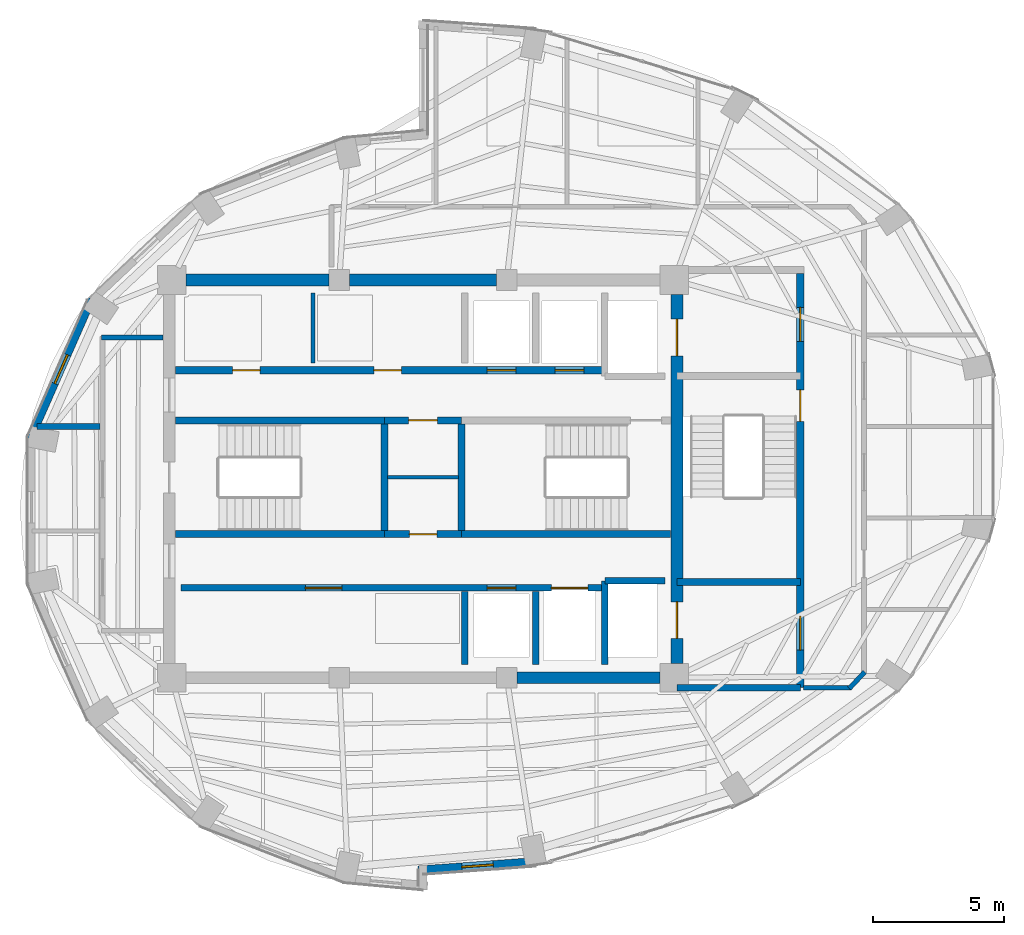
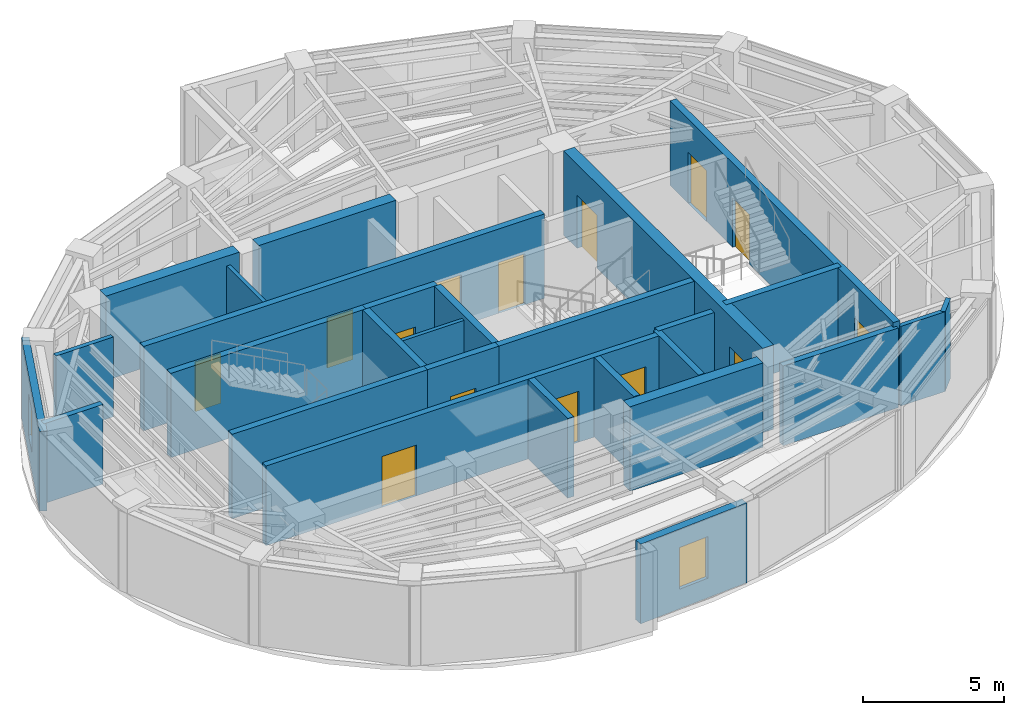
# One storey, part 9 of 13: 28 walls, 14 doors, 2 windows, 16 openings.
"""IFC4 building model written with IfcOpenShell, lengths in metres."""

from ifc_helpers import new_model, si_unit, direction, frame, frame_2d, origin, place, context, subcontext, project, spatial, rectangle, extrude, material, layer, layer_set, type_object, element, fill, save


model = new_model("IFC4")

# Units and contexts
model_context = context("Model", 3, precision=1e-05, world=origin(), true_north=direction((0.0, 1.0)))
body_context = subcontext(model_context, "Body", "Model", "MODEL_VIEW")
ifc_project = project(units=[si_unit("LENGTHUNIT", "METRE"), si_unit("AREAUNIT", "SQUARE_METRE"), si_unit("VOLUMEUNIT", "CUBIC_METRE"), si_unit("PLANEANGLEUNIT", "RADIAN"), si_unit("MASSUNIT", "GRAM", prefix="KILO")], contexts=[model_context])

# Site, building, storey
site_placement = place(None, origin())
site = spatial("IfcSite", under=ifc_project, at=site_placement, CompositionType="ELEMENT")
building_placement = place(site_placement, origin())
building = spatial("IfcBuilding", under=site, at=building_placement, Name="Lazwardi Medical Tower", CompositionType="ELEMENT")
storey_placement = place(building_placement, frame((0.0, 0.0, 276.912109375)))
storey = spatial("IfcBuildingStorey", under=building, at=storey_placement, Name="L72", CompositionType="ELEMENT", Elevation=276.912109375)

# Walls
ifc_material_1 = material(Name="Fire-rated gypsum board on steel stud", Category="steel")
ifc_layer_1 = layer(ifc_material_1, 0.179931640625)
ifc_layer_set_1 = layer_set([ifc_layer_1], Name="Fire-rated gypsum board on steel stud")
wall_type_1 = type_object("IfcWallType", Name="WL-COR-180", PredefinedType="PARTITIONING", material=ifc_layer_set_1)
wall_1_placement = place(storey_placement, frame((52.877197265625, 20.619140625, 0.0), z_axis=(0.0, 0.0, 1.0), x_axis=(-0.682409308253, -0.730970270264, 0.0)))
element("IfcWall", 1, at=wall_1_placement, inside=storey, type_object=wall_type_1, Name="L72 Corridor partition 5", PredefinedType="PARTITIONING", context=body_context, shape_type="SweptSolid", body=[
    extrude(rectangle(XDim=0.859619140625, YDim=0.179931640625, at=frame_2d((0.4296875, 0.0))), origin(), (0.0, 0.0, 1.0), 3.447998046875),
])
wall_2_placement = place(storey_placement, frame((52.35791015625, 20.02001953125, 0.0), z_axis=(0.0, 0.0, 1.0), x_axis=(-1.0, 0.0, 0.0)))
element("IfcWall", 2, at=wall_2_placement, inside=storey, type_object=wall_type_1, Name="L72 Corridor partition 6", PredefinedType="PARTITIONING", context=body_context, shape_type="SweptSolid", body=[
    extrude(rectangle(XDim=1.81787109375, YDim=0.179931640625, at=frame_2d((0.908935546875, 0.0))), origin(), (0.0, 0.0, 1.0), 3.447998046875),
])
wall_3_placement = place(storey_placement, frame((23.7099609375, 33.39990234375, 0.0), z_axis=(0.0, 0.0, 1.0), x_axis=(1.0, 0.0, 0.0)))
element("IfcWall", 3, at=wall_3_placement, inside=storey, type_object=wall_type_1, Name="L72 Corridor partition 9", PredefinedType="PARTITIONING", context=body_context, shape_type="SweptSolid", body=[
    extrude(rectangle(XDim=2.35009765625, YDim=0.179931640625, at=frame_2d((1.175048828125, 0.0))), origin(), (0.0, 0.0, 1.0), 3.447998046875),
])

# Wall, openings, doors
ifc_material_2 = material(Name="Concrete C60/75", Category="concrete")
ifc_layer_2 = layer(ifc_material_2, 0.449951171875)
ifc_layer_set_2 = layer_set([ifc_layer_2], Name="Concrete C60/75")
wall_type_2 = type_object("IfcWallType", Name="WL-CORE-450", PredefinedType="SHEAR", material=ifc_layer_set_2)
wall_4_placement = place(storey_placement, frame((45.699951171875, 20.949951171875, 0.0), z_axis=(0.0, 0.0, 1.0), x_axis=(0.0, 1.0, 0.0)))
wall_4 = element("IfcWall", 4, at=wall_4_placement, inside=storey, type_object=wall_type_2, Name="Core wall CW-S4 east L72", PredefinedType="SHEAR", context=body_context, shape_type="SweptSolid", body=[
    extrude(rectangle(XDim=14.10009765625, YDim=0.449951171875, at=frame_2d((7.050048828125, 0.0))), origin(), (0.0, 0.0, 1.0), 3.64794921875),
])
opening_1_placement = place(wall_4_placement, frame((11.75, 0.0, 0.0)))
opening_1 = element("IfcOpeningElement", 5, at=opening_1_placement, cuts=wall_4, Name="Opening LD-L72-001", PredefinedType="OPENING", context=body_context, shape_type="SweptSolid", body=[
    extrude(rectangle(XDim=1.39990234375, YDim=2.300048828125, at=frame_2d((0.699951171875, 1.14990234375))), frame((0.0, 0.23486328125, 0.0), z_axis=(0.0, -1.0, 0.0), x_axis=(1.0, 0.0, 0.0)), (0.0, 0.0, 1.0), 0.469970703125),
])
opening_2_placement = place(wall_4_placement, frame((0.949951171875, 0.0, 0.0)))
opening_2 = element("IfcOpeningElement", 6, at=opening_2_placement, cuts=wall_4, Name="Opening LD-L72-002", PredefinedType="OPENING", context=body_context, shape_type="SweptSolid", body=[
    extrude(rectangle(XDim=1.39990234375, YDim=2.300048828125, at=frame_2d((0.699951171875, 1.14990234375))), frame((0.0, 0.23486328125, 0.0), z_axis=(0.0, -1.0, 0.0), x_axis=(1.0, 0.0, 0.0)), (0.0, 0.0, 1.0), 0.469970703125),
])
ifc_material_3 = material(Name="Brushed stainless steel bed-lift landing door", Category="steel")
door_type_1 = type_object("IfcDoorType", Name="DR-LFT-1400", OperationType="NOTDEFINED", PredefinedType="DOOR", material=ifc_material_3)
door_1_placement = place(opening_1_placement, origin())
door_1 = element("IfcDoor", 7, at=door_1_placement, inside=storey, type_object=door_type_1, Name="L72 Lift Landing Door FL-01", OperationType="SLIDING_TO_LEFT", OverallHeight=2.300048828125, OverallWidth=1.39990234375, PredefinedType="DOOR", context=body_context, shape_type="SweptSolid", body=[
    extrude(rectangle(XDim=1.39990234375, YDim=2.300048828125, at=frame_2d((0.699951171875, 1.14990234375))), frame((0.0, 0.02490234375, 0.0), z_axis=(0.0, -1.0, 0.0), x_axis=(1.0, 0.0, 0.0)), (0.0, 0.0, 1.0), 0.050048828125),
])
fill(opening_1, door_1)
door_2_placement = place(opening_2_placement, origin())
door_2 = element("IfcDoor", 8, at=door_2_placement, inside=storey, type_object=door_type_1, Name="L72 Lift Landing Door FL-02", OperationType="SLIDING_TO_LEFT", OverallHeight=2.300048828125, OverallWidth=1.39990234375, PredefinedType="DOOR", context=body_context, shape_type="SweptSolid", body=[
    extrude(rectangle(XDim=1.39990234375, YDim=2.300048828125, at=frame_2d((0.699951171875, 1.14990234375))), frame((0.0, 0.02490234375, 0.0), z_axis=(0.0, -1.0, 0.0), x_axis=(1.0, 0.0, 0.0)), (0.0, 0.0, 1.0), 0.050048828125),
])
fill(opening_2, door_2)

# Walls
wall_5_placement = place(storey_placement, frame((26.949951171875, 35.60009765625, 0.0), z_axis=(0.0, 0.0, 1.0), x_axis=(1.0, 0.0, 0.0)))
element("IfcWall", 9, at=wall_5_placement, inside=storey, type_object=wall_type_2, Name="Core wall CW-S4 N1 L72", PredefinedType="SHEAR", context=body_context, shape_type="SweptSolid", body=[
    extrude(rectangle(XDim=5.449951171875, YDim=0.449951171875, at=frame_2d((2.72509765625, 0.0))), origin(), (0.0, 0.0, 1.0), 3.64794921875),
])
wall_6_placement = place(storey_placement, frame((33.199951171875, 35.60009765625, 0.0), z_axis=(0.0, 0.0, 1.0), x_axis=(1.0, 0.0, 0.0)))
element("IfcWall", 10, at=wall_6_placement, inside=storey, type_object=wall_type_2, Name="Core wall CW-S4 N2 L72", PredefinedType="SHEAR", context=body_context, shape_type="SweptSolid", body=[
    extrude(rectangle(XDim=5.60009765625, YDim=0.449951171875, at=frame_2d((2.800048828125, 0.0))), origin(), (0.0, 0.0, 1.0), 3.64794921875),
])
wall_7_placement = place(storey_placement, frame((39.60009765625, 20.39990234375, 0.0), z_axis=(0.0, 0.0, 1.0), x_axis=(1.0, 0.0, 0.0)))
element("IfcWall", 11, at=wall_7_placement, inside=storey, type_object=wall_type_2, Name="Core wall CW-S4 S3 L72", PredefinedType="SHEAR", context=body_context, shape_type="SweptSolid", body=[
    extrude(rectangle(XDim=5.449951171875, YDim=0.449951171875, at=frame_2d((2.72509765625, 0.0))), origin(), (0.0, 0.0, 1.0), 3.64794921875),
])

# Wall, opening, window
ifc_material_4 = material(Name="Precast concrete C45/55", Category="concrete")
ifc_layer_3 = layer(ifc_material_4, 0.280029296875)
ifc_layer_set_3 = layer_set([ifc_layer_3], Name="Precast concrete C45/55")
wall_type_3 = type_object("IfcWallType", Name="WL-DRUM-280", PredefinedType="SOLIDWALL", material=ifc_layer_set_3)
wall_8_placement = place(storey_placement, frame((23.35205078125, 34.869384765625, 0.0), z_axis=(0.0, 0.0, 1.0), x_axis=(-0.402882523888, -0.915251698685, 0.0)))
wall_8 = element("IfcWall", 12, at=wall_8_placement, inside=storey, type_object=wall_type_3, Name="L72 West Drum Precast Wall 3", PredefinedType="SOLIDWALL", context=body_context, shape_type="SweptSolid", body=[
    extrude(rectangle(XDim=5.855712890625, YDim=0.280029296875, at=frame_2d((2.927734375, 0.0))), origin(), (0.0, 0.0, 1.0), 3.447998046875),
])
opening_3_placement = place(wall_8_placement, frame((2.327880859375, 0.0, 0.85009765625)))
opening_3 = element("IfcOpeningElement", 13, at=opening_3_placement, cuts=wall_8, Name="Opening WN-04", PredefinedType="OPENING", context=body_context, shape_type="SweptSolid", body=[
    extrude(rectangle(XDim=1.199951171875, YDim=1.800048828125, at=frame_2d((0.60009765625, 0.89990234375))), frame((0.0, 0.14990234375, 0.0), z_axis=(0.0, -1.0, 0.0), x_axis=(1.0, 0.0, 0.0)), (0.0, 0.0, 1.0), 0.300048828125),
])
ifc_material_5 = material(Name="Low-e bronze solar control double glazing", Category="glass")
window_type = type_object("IfcWindowType", Name="WIN-DRUM-1200", PartitioningType="SINGLE_PANEL", PredefinedType="WINDOW", material=ifc_material_5)
window_1_placement = place(opening_3_placement, origin())
window_1 = element("IfcWindow", 14, at=window_1_placement, inside=storey, type_object=window_type, Name="L72 West Drum Window 3", OverallHeight=1.800048828125, OverallWidth=1.199951171875, PartitioningType="SINGLE_PANEL", PredefinedType="WINDOW", context=body_context, shape_type="SweptSolid", body=[
    extrude(rectangle(XDim=1.199951171875, YDim=1.800048828125, at=frame_2d((0.60009765625, 0.89990234375))), frame((0.0, 0.030029296875, 0.0), z_axis=(0.0, -1.0, 0.0), x_axis=(1.0, 0.0, 0.0)), (0.0, 0.0, 1.0), 0.06005859375),
])
fill(opening_3, window_1)

ifc_layer_4 = layer(ifc_material_4, 0.320068359375)
ifc_layer_set_4 = layer_set([ifc_layer_4], Name="Precast concrete C45/55")
wall_type_4 = type_object("IfcWallType", Name="WL-IWAN-320", PredefinedType="SOLIDWALL", material=ifc_layer_set_4)
wall_9_placement = place(storey_placement, frame((35.820556640625, 13.047119140625, 0.0), z_axis=(0.0, 0.0, 1.0), x_axis=(0.997409061056, 0.071938619141, 0.0)))
wall_9 = element("IfcWall", 15, at=wall_9_placement, inside=storey, type_object=wall_type_4, Name="L72 Iwan Portal Return Wall SE_ret", PredefinedType="SOLIDWALL", context=body_context, shape_type="SweptSolid", body=[
    extrude(rectangle(XDim=4.540771484375, YDim=0.320068359375, at=frame_2d((2.2705078125, 0.0))), origin(), (0.0, 0.0, 1.0), 3.447998046875),
])
opening_4_placement = place(wall_9_placement, frame((1.67041015625, 0.0, 0.85009765625)))
opening_4 = element("IfcOpeningElement", 16, at=opening_4_placement, cuts=wall_9, Name="Opening WN-04", PredefinedType="OPENING", context=body_context, shape_type="SweptSolid", body=[
    extrude(rectangle(XDim=1.199951171875, YDim=1.800048828125, at=frame_2d((0.60009765625, 0.89990234375))), frame((0.0, 0.169921875, 0.0), z_axis=(0.0, -1.0, 0.0), x_axis=(1.0, 0.0, 0.0)), (0.0, 0.0, 1.0), 0.340087890625),
])
window_2_placement = place(opening_4_placement, origin())
window_2 = element("IfcWindow", 17, at=window_2_placement, inside=storey, type_object=window_type, Name="L72 Iwan Slot Window SE_ret", OverallHeight=1.800048828125, OverallWidth=1.199951171875, PartitioningType="SINGLE_PANEL", PredefinedType="WINDOW", context=body_context, shape_type="SweptSolid", body=[
    extrude(rectangle(XDim=1.199951171875, YDim=1.800048828125, at=frame_2d((0.60009765625, 0.89990234375))), frame((0.0, 0.030029296875, 0.0), z_axis=(0.0, -1.0, 0.0), x_axis=(1.0, 0.0, 0.0)), (0.0, 0.0, 1.0), 0.06005859375),
])
fill(opening_4, window_2)

# Wall, openings, doors
ifc_material_6 = material(Name="Autoclaved aerated concrete blockwork", Category="masonry")
ifc_layer_5 = layer(ifc_material_6, 0.25)
ifc_layer_set_5 = layer_set([ifc_layer_5], Name="Autoclaved aerated concrete blockwork")
wall_type_5 = type_object("IfcWallType", Name="WL-SHAFT-250", PredefinedType="SOLIDWALL", material=ifc_layer_set_5)
wall_10_placement = place(storey_placement, frame((26.75, 23.830078125, 0.0), z_axis=(0.0, 0.0, 1.0), x_axis=(1.0, 0.0, 0.0)))
wall_10 = element("IfcWall", 18, at=wall_10_placement, inside=storey, type_object=wall_type_5, Name="L72 South lift bank front wall", PredefinedType="SOLIDWALL", context=body_context, shape_type="SweptSolid", body=[
    extrude(rectangle(XDim=16.199951171875, YDim=0.25, at=frame_2d((8.10009765625, 0.0))), origin(), (0.0, 0.0, 1.0), 3.447998046875),
])
opening_5_placement = place(wall_10_placement, frame((4.75, 0.0, 0.0)))
opening_5 = element("IfcOpeningElement", 19, at=opening_5_placement, cuts=wall_10, Name="Opening D-L72-005", PredefinedType="OPENING", context=body_context, shape_type="SweptSolid", body=[
    extrude(rectangle(XDim=1.39990234375, YDim=2.199951171875, at=frame_2d((0.699951171875, 1.10009765625))), frame((0.0, 0.135009765625, 0.0), z_axis=(0.0, -1.0, 0.0), x_axis=(1.0, 0.0, 0.0)), (0.0, 0.0, 1.0), 0.27001953125),
])
opening_6_placement = place(wall_10_placement, frame((11.699951171875, 0.0, 0.0)))
opening_6 = element("IfcOpeningElement", 20, at=opening_6_placement, cuts=wall_10, Name="Opening LD-L72-006", PredefinedType="OPENING", context=body_context, shape_type="SweptSolid", body=[
    extrude(rectangle(XDim=1.10009765625, YDim=2.199951171875, at=frame_2d((0.550048828125, 1.10009765625))), frame((0.0, 0.135009765625, 0.0), z_axis=(0.0, -1.0, 0.0), x_axis=(1.0, 0.0, 0.0)), (0.0, 0.0, 1.0), 0.27001953125),
])
opening_7_placement = place(wall_10_placement, frame((14.14990234375, 0.0, 0.0)))
opening_7 = element("IfcOpeningElement", 21, at=opening_7_placement, cuts=wall_10, Name="Opening LD-L72-003", PredefinedType="OPENING", context=body_context, shape_type="SweptSolid", body=[
    extrude(rectangle(XDim=1.39990234375, YDim=2.300048828125, at=frame_2d((0.699951171875, 1.14990234375))), frame((0.0, 0.135009765625, 0.0), z_axis=(0.0, -1.0, 0.0), x_axis=(1.0, 0.0, 0.0)), (0.0, 0.0, 1.0), 0.27001953125),
])
ifc_material_7 = material(Name="Anti-microbial laminate hospital leaf")
door_type_2 = type_object("IfcDoorType", Name="DR-BED-1400", OperationType="NOTDEFINED", PredefinedType="DOOR", material=ifc_material_7)
door_3_placement = place(opening_5_placement, origin())
door_3 = element("IfcDoor", 22, at=door_3_placement, inside=storey, type_object=door_type_2, Name="L72 Core Dialysis Door", OperationType="SINGLE_SWING_RIGHT", OverallHeight=2.199951171875, OverallWidth=1.39990234375, PredefinedType="DOOR", context=body_context, shape_type="SweptSolid", body=[
    extrude(rectangle(XDim=1.39990234375, YDim=2.199951171875, at=frame_2d((0.699951171875, 1.10009765625))), frame((0.0, 0.02490234375, 0.0), z_axis=(0.0, -1.0, 0.0), x_axis=(1.0, 0.0, 0.0)), (0.0, 0.0, 1.0), 0.050048828125),
])
fill(opening_5, door_3)
ifc_material_8 = material(Name="Brushed bronze stainless steel landing door", Category="steel")
door_type_3 = type_object("IfcDoorType", Name="DR-LFT-1100", OperationType="NOTDEFINED", PredefinedType="DOOR", material=ifc_material_8)
door_4_placement = place(opening_6_placement, origin())
door_4 = element("IfcDoor", 23, at=door_4_placement, inside=storey, type_object=door_type_3, Name="L72 Lift Landing Door PL-11", OperationType="SLIDING_TO_LEFT", OverallHeight=2.199951171875, OverallWidth=1.10009765625, PredefinedType="DOOR", context=body_context, shape_type="SweptSolid", body=[
    extrude(rectangle(XDim=1.10009765625, YDim=2.199951171875, at=frame_2d((0.550048828125, 1.10009765625))), frame((0.0, 0.02490234375, 0.0), z_axis=(0.0, -1.0, 0.0), x_axis=(1.0, 0.0, 0.0)), (0.0, 0.0, 1.0), 0.050048828125),
])
fill(opening_6, door_4)
door_5_placement = place(opening_7_placement, origin())
door_5 = element("IfcDoor", 24, at=door_5_placement, inside=storey, type_object=door_type_1, Name="L72 Lift Landing Door FL-03", OperationType="SLIDING_TO_LEFT", OverallHeight=2.300048828125, OverallWidth=1.39990234375, PredefinedType="DOOR", context=body_context, shape_type="SweptSolid", body=[
    extrude(rectangle(XDim=1.39990234375, YDim=2.300048828125, at=frame_2d((0.699951171875, 1.14990234375))), frame((0.0, 0.02490234375, 0.0), z_axis=(0.0, -1.0, 0.0), x_axis=(1.0, 0.0, 0.0)), (0.0, 0.0, 1.0), 0.050048828125),
])
fill(opening_7, door_5)

# Walls
wall_11_placement = place(storey_placement, frame((42.949951171875, 20.89990234375, 0.0), z_axis=(0.0, 0.0, 1.0), x_axis=(0.0, 1.0, 0.0)))
element("IfcWall", 25, at=wall_11_placement, inside=storey, type_object=wall_type_5, Name="L72 FL-02 West shaft wall", PredefinedType="SOLIDWALL", context=body_context, shape_type="SweptSolid", body=[
    extrude(rectangle(XDim=3.2001953125, YDim=0.25, at=frame_2d((1.60009765625, 0.0))), origin(), (0.0, 0.0, 1.0), 3.447998046875),
])
wall_12_placement = place(storey_placement, frame((42.949951171875, 24.10009765625, 0.0), z_axis=(0.0, 0.0, 1.0), x_axis=(1.0, 0.0, 0.0)))
element("IfcWall", 26, at=wall_12_placement, inside=storey, type_object=wall_type_5, Name="L72 FL-02 North shaft wall", PredefinedType="SOLIDWALL", context=body_context, shape_type="SweptSolid", body=[
    extrude(rectangle(XDim=2.300048828125, YDim=0.25, at=frame_2d((1.14990234375, 0.0))), origin(), (0.0, 0.0, 1.0), 3.447998046875),
])
for number, where, z_axis, x_axis, name in (
    (27, (37.60009765625, 20.89990234375, 0.0), (0.0, 0.0, 1.0), (0.0, 1.0, 0.0), "L72 South hoistway divider"),
    (28, (40.300048828125, 20.89990234375, 0.0), (0.0, 0.0, 1.0), (0.0, 1.0, 0.0), "L72 South hoistway divider"),
):
    element("IfcWall", number, at=place(storey_placement, frame(where, z_axis=z_axis, x_axis=x_axis)), inside=storey, type_object=wall_type_5, Name=name, PredefinedType="SOLIDWALL", context=body_context, shape_type="SweptSolid", body=[
        extrude(rectangle(XDim=2.800048828125, YDim=0.25, at=frame_2d((1.39990234375, 0.0))), origin(), (0.0, 0.0, 1.0), 3.447998046875),
    ])
wall_13_placement = place(storey_placement, frame((45.699951171875, 20.02001953125, 0.0), z_axis=(0.0, 0.0, 1.0), x_axis=(1.0, 0.0, 0.0)))
element("IfcWall", 29, at=wall_13_placement, inside=storey, type_object=wall_type_5, Name="L72 FFL-S South wall", PredefinedType="SOLIDWALL", context=body_context, shape_type="SweptSolid", body=[
    extrude(rectangle(XDim=4.715087890625, YDim=0.25, at=frame_2d((2.357421875, 0.0))), origin(), (0.0, 0.0, 1.0), 3.447998046875),
])
ifc_layer_6 = layer(ifc_material_1, 0.219970703125)
ifc_layer_set_6 = layer_set([ifc_layer_6], Name="Fire-rated gypsum board on steel stud")
wall_type_6 = type_object("IfcWallType", Name="WL-SMK-220", PredefinedType="PARTITIONING", material=ifc_layer_set_6)
wall_14_placement = place(storey_placement, frame((21.24365234375, 30.0, 0.0), z_axis=(0.0, 0.0, 1.0), x_axis=(1.0, 0.0, 0.0)))
element("IfcWall", 30, at=wall_14_placement, inside=storey, type_object=wall_type_6, Name="L72 Room partition 2", PredefinedType="PARTITIONING", context=body_context, shape_type="SweptSolid", body=[
    extrude(rectangle(XDim=2.416259765625, YDim=0.219970703125, at=frame_2d((1.2080078125, 0.0))), origin(), (0.0, 0.0, 1.0), 3.447998046875),
])
ifc_material_9 = material(Name="Concrete C50/60", Category="concrete")
ifc_layer_7 = layer(ifc_material_9, 0.27001953125)
ifc_layer_set_7 = layer_set([ifc_layer_7], Name="Concrete C50/60")
wall_type_7 = type_object("IfcWallType", Name="WL-STR-250", PredefinedType="SHEAR", material=ifc_layer_set_7)
wall_15_placement = place(storey_placement, frame((26.550048828125, 30.235107421875, 0.0), z_axis=(0.0, 0.0, 1.0), x_axis=(1.0, 0.0, 0.0)))
element("IfcWall", 31, at=wall_15_placement, inside=storey, type_object=wall_type_7, Name="L72 ST1 North shear shaft wall SW-S1", PredefinedType="SHEAR", context=body_context, shape_type="SweptSolid", body=[
    extrude(rectangle(XDim=7.98486328125, YDim=0.27001953125, at=frame_2d((3.992431640625, 0.0))), origin(), (0.0, 0.0, 1.0), 3.64794921875),
])

# Wall, opening, door
wall_16_placement = place(storey_placement, frame((34.534912109375, 30.235107421875, 0.0), z_axis=(0.0, 0.0, 1.0), x_axis=(1.0, 0.0, 0.0)))
wall_16 = element("IfcWall", 32, at=wall_16_placement, inside=storey, type_object=wall_type_7, Name="L72 Core service North shear wall SW-S1", PredefinedType="SHEAR", context=body_context, shape_type="SweptSolid", body=[
    extrude(rectangle(XDim=2.93017578125, YDim=0.27001953125, at=frame_2d((1.465087890625, 0.0))), origin(), (0.0, 0.0, 1.0), 3.64794921875),
])
opening_8_placement = place(wall_16_placement, frame((0.9150390625, 0.0, 0.0)))
opening_8 = element("IfcOpeningElement", 33, at=opening_8_placement, cuts=wall_16, Name="Opening D-L72-002", PredefinedType="OPENING", context=body_context, shape_type="SweptSolid", body=[
    extrude(rectangle(XDim=1.10009765625, YDim=2.14990234375, at=frame_2d((0.550048828125, 1.074951171875))), frame((0.0, 0.14501953125, 0.0), z_axis=(0.0, -1.0, 0.0), x_axis=(1.0, 0.0, 0.0)), (0.0, 0.0, 1.0), 0.2900390625),
])
ifc_material_10 = material(Name="Fire-rated steel leaf and frame", Category="steel")
door_type_4 = type_object("IfcDoorType", Name="DR-PLT-1100", OperationType="NOTDEFINED", PredefinedType="DOOR", material=ifc_material_10)
door_6_placement = place(opening_8_placement, origin())
door_6 = element("IfcDoor", 34, at=door_6_placement, inside=storey, type_object=door_type_4, Name="L72 Electrical Room Door", OperationType="SINGLE_SWING_LEFT", OverallHeight=2.14990234375, OverallWidth=1.10009765625, PredefinedType="DOOR", context=body_context, shape_type="SweptSolid", body=[
    extrude(rectangle(XDim=1.10009765625, YDim=2.14990234375, at=frame_2d((0.550048828125, 1.074951171875))), frame((0.0, 0.02490234375, 0.0), z_axis=(0.0, -1.0, 0.0), x_axis=(1.0, 0.0, 0.0)), (0.0, 0.0, 1.0), 0.050048828125),
])
fill(opening_8, door_6)

# Wall
wall_17_placement = place(storey_placement, frame((26.550048828125, 25.885009765625, 0.0), z_axis=(0.0, 0.0, 1.0), x_axis=(1.0, 0.0, 0.0)))
element("IfcWall", 35, at=wall_17_placement, inside=storey, type_object=wall_type_7, Name="L72 ST1 South shear shaft wall SW-S1", PredefinedType="SHEAR", context=body_context, shape_type="SweptSolid", body=[
    extrude(rectangle(XDim=7.98486328125, YDim=0.27001953125, at=frame_2d((3.992431640625, 0.0))), origin(), (0.0, 0.0, 1.0), 3.64794921875),
])

# Wall, opening, door
wall_18_placement = place(storey_placement, frame((34.534912109375, 25.885009765625, 0.0), z_axis=(0.0, 0.0, 1.0), x_axis=(1.0, 0.0, 0.0)))
wall_18 = element("IfcWall", 36, at=wall_18_placement, inside=storey, type_object=wall_type_7, Name="L72 Core service South shear wall SW-S1", PredefinedType="SHEAR", context=body_context, shape_type="SweptSolid", body=[
    extrude(rectangle(XDim=2.93017578125, YDim=0.27001953125, at=frame_2d((1.465087890625, 0.0))), origin(), (0.0, 0.0, 1.0), 3.64794921875),
])
opening_9_placement = place(wall_18_placement, frame((0.93994140625, 0.0, 0.0)))
opening_9 = element("IfcOpeningElement", 37, at=opening_9_placement, cuts=wall_18, Name="Opening D-L72-001", PredefinedType="OPENING", context=body_context, shape_type="SweptSolid", body=[
    extrude(rectangle(XDim=1.050048828125, YDim=2.14990234375, at=frame_2d((0.52490234375, 1.074951171875))), frame((0.0, 0.14501953125, 0.0), z_axis=(0.0, -1.0, 0.0), x_axis=(1.0, 0.0, 0.0)), (0.0, 0.0, 1.0), 0.2900390625),
])
door_type_5 = type_object("IfcDoorType", Name="DR-CLN-1050", OperationType="NOTDEFINED", PredefinedType="DOOR", material=ifc_material_7)
door_7_placement = place(opening_9_placement, origin())
door_7 = element("IfcDoor", 38, at=door_7_placement, inside=storey, type_object=door_type_5, Name="L72 Dirty Sluice Door", OperationType="SINGLE_SWING_RIGHT", OverallHeight=2.14990234375, OverallWidth=1.050048828125, PredefinedType="DOOR", context=body_context, shape_type="SweptSolid", body=[
    extrude(rectangle(XDim=1.050048828125, YDim=2.14990234375, at=frame_2d((0.52490234375, 1.074951171875))), frame((0.0, 0.02490234375, 0.0), z_axis=(0.0, -1.0, 0.0), x_axis=(1.0, 0.0, 0.0)), (0.0, 0.0, 1.0), 0.050048828125),
])
fill(opening_9, door_7)

# Walls
wall_19_placement = place(storey_placement, frame((37.465087890625, 25.885009765625, 0.0), z_axis=(0.0, 0.0, 1.0), x_axis=(1.0, 0.0, 0.0)))
element("IfcWall", 39, at=wall_19_placement, inside=storey, type_object=wall_type_7, Name="L72 ST2 South shear shaft wall SW-S1", PredefinedType="SHEAR", context=body_context, shape_type="SweptSolid", body=[
    extrude(rectangle(XDim=7.98486328125, YDim=0.27001953125, at=frame_2d((3.992431640625, 0.0))), origin(), (0.0, 0.0, 1.0), 3.64794921875),
])
for number, where, z_axis, x_axis, name in (
    (40, (34.534912109375, 26.02001953125, 0.0), (0.0, 0.0, 1.0), (0.0, 1.0, 0.0), "L72 ST1 East shear shaft wall SW-S1"),
    (41, (37.465087890625, 26.02001953125, 0.0), (0.0, 0.0, 1.0), (0.0, 1.0, 0.0), "L72 ST2 West shear shaft wall SW-S1"),
):
    element("IfcWall", number, at=place(storey_placement, frame(where, z_axis=z_axis, x_axis=x_axis)), inside=storey, type_object=wall_type_7, Name=name, PredefinedType="SHEAR", context=body_context, shape_type="SweptSolid", body=[
        extrude(rectangle(XDim=4.080078125, YDim=0.27001953125, at=frame_2d((2.0400390625, 0.0))), origin(), (0.0, 0.0, 1.0), 3.64794921875),
    ])

# Wall, openings, doors
wall_20_placement = place(storey_placement, frame((26.550048828125, 32.14990234375, 0.0), z_axis=(0.0, 0.0, 1.0), x_axis=(1.0, 0.0, 0.0)))
wall_20 = element("IfcWall", 42, at=wall_20_placement, inside=storey, type_object=wall_type_7, Name="L72 North lift bank shear wall SW-S1", PredefinedType="SHEAR", context=body_context, shape_type="SweptSolid", body=[
    extrude(rectangle(XDim=16.39990234375, YDim=0.27001953125, at=frame_2d((8.199951171875, 0.0))), origin(), (0.0, 0.0, 1.0), 3.64794921875),
])
opening_10_placement = place(wall_20_placement, frame((2.175048828125, 0.0, 0.0)))
opening_10 = element("IfcOpeningElement", 43, at=opening_10_placement, cuts=wall_20, Name="Opening D-L72-003", PredefinedType="OPENING", context=body_context, shape_type="SweptSolid", body=[
    extrude(rectangle(XDim=1.050048828125, YDim=2.14990234375, at=frame_2d((0.52490234375, 1.074951171875))), frame((0.0, 0.14501953125, 0.0), z_axis=(0.0, -1.0, 0.0), x_axis=(1.0, 0.0, 0.0)), (0.0, 0.0, 1.0), 0.2900390625),
])
opening_11_placement = place(wall_20_placement, frame((7.574951171875, 0.0, 0.0)))
opening_11 = element("IfcOpeningElement", 44, at=opening_11_placement, cuts=wall_20, Name="Opening D-L72-004", PredefinedType="OPENING", context=body_context, shape_type="SweptSolid", body=[
    extrude(rectangle(XDim=1.050048828125, YDim=2.14990234375, at=frame_2d((0.52490234375, 1.074951171875))), frame((0.0, 0.14501953125, 0.0), z_axis=(0.0, -1.0, 0.0), x_axis=(1.0, 0.0, 0.0)), (0.0, 0.0, 1.0), 0.2900390625),
])
opening_12_placement = place(wall_20_placement, frame((11.89990234375, 0.0, 0.0)))
opening_12 = element("IfcOpeningElement", 45, at=opening_12_placement, cuts=wall_20, Name="Opening LD-L72-004", PredefinedType="OPENING", context=body_context, shape_type="SweptSolid", body=[
    extrude(rectangle(XDim=1.10009765625, YDim=2.199951171875, at=frame_2d((0.550048828125, 1.10009765625))), frame((0.0, 0.14501953125, 0.0), z_axis=(0.0, -1.0, 0.0), x_axis=(1.0, 0.0, 0.0)), (0.0, 0.0, 1.0), 0.2900390625),
])
opening_13_placement = place(wall_20_placement, frame((14.5, 0.0, 0.0)))
opening_13 = element("IfcOpeningElement", 46, at=opening_13_placement, cuts=wall_20, Name="Opening LD-L72-005", PredefinedType="OPENING", context=body_context, shape_type="SweptSolid", body=[
    extrude(rectangle(XDim=1.10009765625, YDim=2.199951171875, at=frame_2d((0.550048828125, 1.10009765625))), frame((0.0, 0.14501953125, 0.0), z_axis=(0.0, -1.0, 0.0), x_axis=(1.0, 0.0, 0.0)), (0.0, 0.0, 1.0), 0.2900390625),
])
door_8_placement = place(opening_10_placement, origin())
door_8 = element("IfcDoor", 47, at=door_8_placement, inside=storey, type_object=door_type_5, Name="L72 Core Consult Door", OperationType="SINGLE_SWING_RIGHT", OverallHeight=2.14990234375, OverallWidth=1.050048828125, PredefinedType="DOOR", context=body_context, shape_type="SweptSolid", body=[
    extrude(rectangle(XDim=1.050048828125, YDim=2.14990234375, at=frame_2d((0.52490234375, 1.074951171875))), frame((0.0, 0.02490234375, 0.0), z_axis=(0.0, -1.0, 0.0), x_axis=(1.0, 0.0, 0.0)), (0.0, 0.0, 1.0), 0.050048828125),
])
fill(opening_10, door_8)
door_9_placement = place(opening_11_placement, origin())
door_9 = element("IfcDoor", 48, at=door_9_placement, inside=storey, type_object=door_type_5, Name="L72 Core Pharmacy Door", OperationType="SINGLE_SWING_LEFT", OverallHeight=2.14990234375, OverallWidth=1.050048828125, PredefinedType="DOOR", context=body_context, shape_type="SweptSolid", body=[
    extrude(rectangle(XDim=1.050048828125, YDim=2.14990234375, at=frame_2d((0.52490234375, 1.074951171875))), frame((0.0, 0.02490234375, 0.0), z_axis=(0.0, -1.0, 0.0), x_axis=(1.0, 0.0, 0.0)), (0.0, 0.0, 1.0), 0.050048828125),
])
fill(opening_11, door_9)
door_10_placement = place(opening_12_placement, origin())
door_10 = element("IfcDoor", 49, at=door_10_placement, inside=storey, type_object=door_type_3, Name="L72 Lift Landing Door PL-09", OperationType="SLIDING_TO_LEFT", OverallHeight=2.199951171875, OverallWidth=1.10009765625, PredefinedType="DOOR", context=body_context, shape_type="SweptSolid", body=[
    extrude(rectangle(XDim=1.10009765625, YDim=2.199951171875, at=frame_2d((0.550048828125, 1.10009765625))), frame((0.0, 0.02490234375, 0.0), z_axis=(0.0, -1.0, 0.0), x_axis=(1.0, 0.0, 0.0)), (0.0, 0.0, 1.0), 0.050048828125),
])
fill(opening_12, door_10)
door_11_placement = place(opening_13_placement, origin())
door_11 = element("IfcDoor", 50, at=door_11_placement, inside=storey, type_object=door_type_3, Name="L72 Lift Landing Door PL-10", OperationType="SLIDING_TO_LEFT", OverallHeight=2.199951171875, OverallWidth=1.10009765625, PredefinedType="DOOR", context=body_context, shape_type="SweptSolid", body=[
    extrude(rectangle(XDim=1.10009765625, YDim=2.199951171875, at=frame_2d((0.550048828125, 1.10009765625))), frame((0.0, 0.02490234375, 0.0), z_axis=(0.0, -1.0, 0.0), x_axis=(1.0, 0.0, 0.0)), (0.0, 0.0, 1.0), 0.050048828125),
])
fill(opening_13, door_11)

wall_21_placement = place(storey_placement, frame((50.4150390625, 35.844970703125, 0.0), z_axis=(0.0, 0.0, 1.0), x_axis=(0.0, -1.0, 0.0)))
wall_21 = element("IfcWall", 51, at=wall_21_placement, inside=storey, type_object=wall_type_7, Name="L72 East ST3 & FFL shear wall SW-S1", PredefinedType="SHEAR", context=body_context, shape_type="SweptSolid", body=[
    extrude(rectangle(XDim=15.824951171875, YDim=0.27001953125, at=frame_2d((7.91259765625, 0.0))), origin(), (0.0, 0.0, 1.0), 3.64794921875),
])
opening_14_placement = place(wall_21_placement, frame((4.445068359375, 0.0, 0.0)))
opening_14 = element("IfcOpeningElement", 52, at=opening_14_placement, cuts=wall_21, Name="Opening D-L72-021", PredefinedType="OPENING", context=body_context, shape_type="SweptSolid", body=[
    extrude(rectangle(XDim=1.199951171875, YDim=2.14990234375, at=frame_2d((0.60009765625, 1.074951171875))), frame((0.0, 0.14501953125, 0.0), z_axis=(0.0, -1.0, 0.0), x_axis=(1.0, 0.0, 0.0)), (0.0, 0.0, 1.0), 0.2900390625),
])
opening_15_placement = place(wall_21_placement, frame((1.294921875, 0.0, 0.0)))
opening_15 = element("IfcOpeningElement", 53, at=opening_15_placement, cuts=wall_21, Name="Opening D-L72-006", PredefinedType="OPENING", context=body_context, shape_type="SweptSolid", body=[
    extrude(rectangle(XDim=1.300048828125, YDim=2.199951171875, at=frame_2d((0.64990234375, 1.10009765625))), frame((0.0, 0.14501953125, 0.0), z_axis=(0.0, -1.0, 0.0), x_axis=(1.0, 0.0, 0.0)), (0.0, 0.0, 1.0), 0.2900390625),
])
opening_16_placement = place(wall_21_placement, frame((13.094970703125, 0.0, 0.0)))
opening_16 = element("IfcOpeningElement", 54, at=opening_16_placement, cuts=wall_21, Name="Opening D-L72-007", PredefinedType="OPENING", context=body_context, shape_type="SweptSolid", body=[
    extrude(rectangle(XDim=1.300048828125, YDim=2.199951171875, at=frame_2d((0.64990234375, 1.10009765625))), frame((0.0, 0.14501953125, 0.0), z_axis=(0.0, -1.0, 0.0), x_axis=(1.0, 0.0, 0.0)), (0.0, 0.0, 1.0), 0.2900390625),
])
door_type_6 = type_object("IfcDoorType", Name="DR-FFL-1300", OperationType="NOTDEFINED", PredefinedType="DOOR", material=ifc_material_10)
door_12_placement = place(opening_15_placement, origin())
door_12 = element("IfcDoor", 55, at=door_12_placement, inside=storey, type_object=door_type_6, Name="L72 Fire-Fighting Lobby North Door", OperationType="SINGLE_SWING_RIGHT", OverallHeight=2.199951171875, OverallWidth=1.300048828125, PredefinedType="DOOR", context=body_context, shape_type="SweptSolid", body=[
    extrude(rectangle(XDim=1.300048828125, YDim=2.199951171875, at=frame_2d((0.64990234375, 1.10009765625))), frame((0.0, 0.02490234375, 0.0), z_axis=(0.0, -1.0, 0.0), x_axis=(1.0, 0.0, 0.0)), (0.0, 0.0, 1.0), 0.050048828125),
])
fill(opening_15, door_12)
door_13_placement = place(opening_16_placement, origin())
door_13 = element("IfcDoor", 56, at=door_13_placement, inside=storey, type_object=door_type_6, Name="L72 Fire-Fighting Lobby South Door", OperationType="SINGLE_SWING_LEFT", OverallHeight=2.199951171875, OverallWidth=1.300048828125, PredefinedType="DOOR", context=body_context, shape_type="SweptSolid", body=[
    extrude(rectangle(XDim=1.300048828125, YDim=2.199951171875, at=frame_2d((0.64990234375, 1.10009765625))), frame((0.0, 0.02490234375, 0.0), z_axis=(0.0, -1.0, 0.0), x_axis=(1.0, 0.0, 0.0)), (0.0, 0.0, 1.0), 0.050048828125),
])
fill(opening_16, door_13)
door_type_7 = type_object("IfcDoorType", Name="DR-STR-1200", OperationType="NOTDEFINED", PredefinedType="DOOR", material=ifc_material_10)
door_14_placement = place(opening_14_placement, origin())
door_14 = element("IfcDoor", 57, at=door_14_placement, inside=storey, type_object=door_type_7, Name="L72 Exit Stair ST3 Door", OperationType="SINGLE_SWING_LEFT", OverallHeight=2.14990234375, OverallWidth=1.199951171875, PredefinedType="DOOR", context=body_context, shape_type="SweptSolid", body=[
    extrude(rectangle(XDim=1.199951171875, YDim=2.14990234375, at=frame_2d((0.60009765625, 1.074951171875))), frame((0.0, 0.02490234375, 0.0), z_axis=(0.0, -1.0, 0.0), x_axis=(1.0, 0.0, 0.0)), (0.0, 0.0, 1.0), 0.050048828125),
])
fill(opening_14, door_14)

# Walls
wall_22_placement = place(storey_placement, frame((45.699951171875, 24.06494140625, 0.0), z_axis=(0.0, 0.0, 1.0), x_axis=(1.0, 0.0, 0.0)))
element("IfcWall", 58, at=wall_22_placement, inside=storey, type_object=wall_type_7, Name="L72 ST3 South shear shaft wall SW-S1", PredefinedType="SHEAR", context=body_context, shape_type="SweptSolid", body=[
    extrude(rectangle(XDim=4.715087890625, YDim=0.27001953125, at=frame_2d((2.357421875, 0.0))), origin(), (0.0, 0.0, 1.0), 3.64794921875),
])
ifc_material_11 = material(Name="Acoustic gypsum board partition")
ifc_layer_8 = layer(ifc_material_11, 0.14990234375)
ifc_layer_set_8 = layer_set([ifc_layer_8], Name="Acoustic gypsum board partition")
wall_type_8 = type_object("IfcWallType", Name="WL-WRD-150", PredefinedType="PARTITIONING", material=ifc_layer_set_8)
wall_23_placement = place(storey_placement, frame((34.64990234375, 28.06005859375, 0.0), z_axis=(0.0, 0.0, 1.0), x_axis=(1.0, 0.0, 0.0)))
element("IfcWall", 59, at=wall_23_placement, inside=storey, type_object=wall_type_8, Name="L72 Core service divider", PredefinedType="PARTITIONING", context=body_context, shape_type="SweptSolid", body=[
    extrude(rectangle(XDim=2.7001953125, YDim=0.14990234375, at=frame_2d((1.35009765625, 0.0))), origin(), (0.0, 0.0, 1.0), 3.447998046875),
])
wall_24_placement = place(storey_placement, frame((31.800048828125, 32.419921875, 0.0), z_axis=(0.0, 0.0, 1.0), x_axis=(0.0, 1.0, 0.0)))
element("IfcWall", 60, at=wall_24_placement, inside=storey, type_object=wall_type_8, Name="L72 Freed bay2 N split", PredefinedType="PARTITIONING", context=body_context, shape_type="SweptSolid", body=[
    extrude(rectangle(XDim=2.68017578125, YDim=0.14990234375, at=frame_2d((1.340087890625, 0.0))), origin(), (0.0, 0.0, 1.0), 3.447998046875),
])

save(model, "model.ifc")
